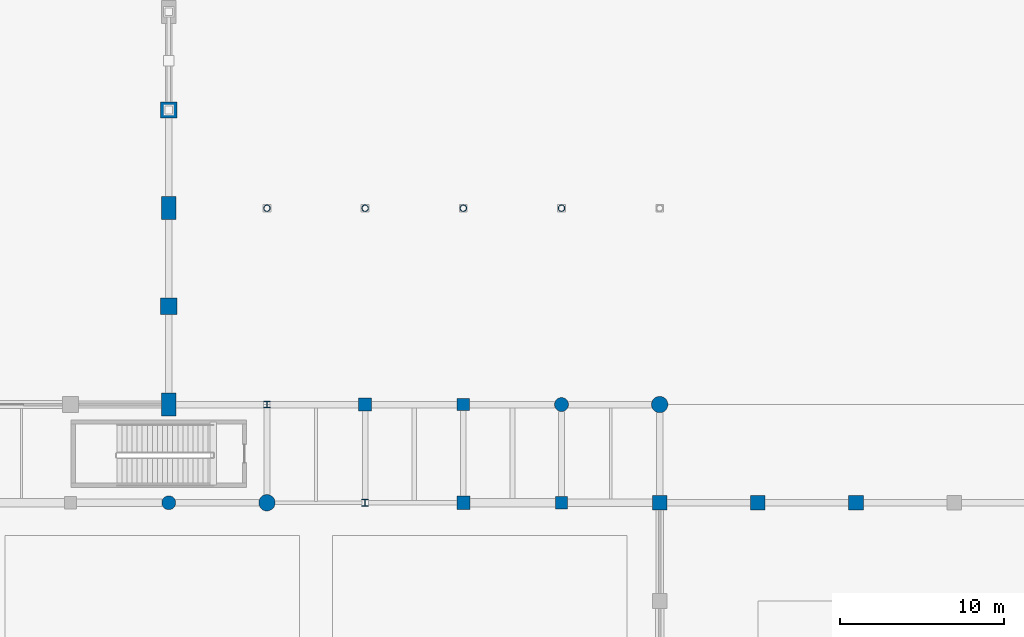
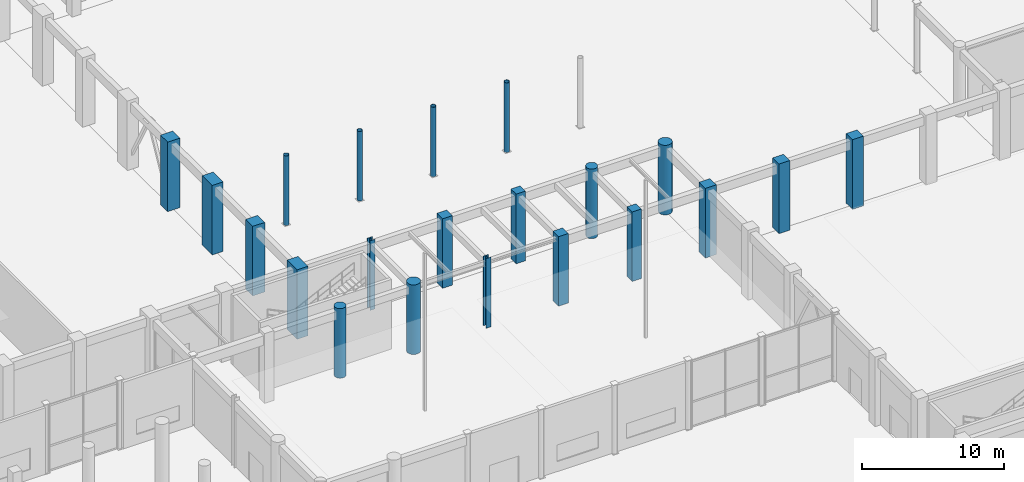
# One storey, part 6 of 106: 21 columns.
"""IFC4 building model written with IfcOpenShell, lengths in metres."""

from ifc_helpers import new_model, si_unit, direction, frame, origin, origin_2d, place, context, subcontext, project, spatial, rectangle, circle, hollow_circle, i_section, extrude, material, material_profile, profile_set, type_object, element, save


model = new_model("IFC4")

# Units and contexts
model_context = context("Model", 3, precision=1e-05, world=origin(), true_north=direction((0.0, 1.0)))
body_context = subcontext(model_context, "Body", "Model", "MODEL_VIEW")
ifc_project = project(units=[si_unit("LENGTHUNIT", "METRE"), si_unit("AREAUNIT", "SQUARE_METRE"), si_unit("VOLUMEUNIT", "CUBIC_METRE"), si_unit("PLANEANGLEUNIT", "RADIAN"), si_unit("MASSUNIT", "GRAM", prefix="KILO"), si_unit("THERMODYNAMICTEMPERATUREUNIT", "KELVIN"), si_unit("POWERUNIT", "WATT")], contexts=[model_context])

# Site, building, storey
site_placement = place(None, origin())
site = spatial("IfcSite", under=ifc_project, at=site_placement, CompositionType="ELEMENT")
building_placement = place(site_placement, origin())
building = spatial("IfcBuilding", under=site, at=building_placement, Name="Phaisarnlok Congress Hotel", CompositionType="ELEMENT")
storey_placement = place(building_placement, origin())
storey = spatial("IfcBuildingStorey", under=building, at=storey_placement, Name="L00", CompositionType="ELEMENT", Elevation=0.0)

# Columns
ifc_material_1 = material(Name="Concrete C50/60", Category="concrete")
ifc_material_profile_1 = material_profile(ifc_material_1, rectangle(XDim=1.0, YDim=1.0, at=origin_2d()), Name="RC 1000x1000")
ifc_profile_set_1 = profile_set([ifc_material_profile_1], Name="Concrete C50/60")
column_type_1 = type_object("IfcColumnType", Name="COL-RC-1000", PredefinedType="COLUMN", material=ifc_profile_set_1)
for number, where, z_axis, x_axis, name in (
    (1, (66.0, 48.0, 0.0), (0.0, 0.0, 1.0), (1.0, 0.0, 0.0), "Column C-09 (L00)"),
    (2, (66.0, 60.0, 0.0), (0.0, 0.0, 1.0), (1.0, 0.0, 0.0), "Column C-09 (L00)"),
):
    element("IfcColumn", number, at=place(storey_placement, frame(where, z_axis=z_axis, x_axis=x_axis)), inside=storey, type_object=column_type_1, Name=name, PredefinedType="COLUMN", context=body_context, shape_type="SweptSolid", body=[
        extrude(rectangle(XDim=1.0, YDim=1.0, at=origin_2d()), origin(), (0.0, 0.0, 1.0), 6.0),
    ])
ifc_material_profile_2 = material_profile(ifc_material_1, rectangle(XDim=0.75, YDim=0.75, at=origin_2d()), Name="RC 750x750")
ifc_profile_set_2 = profile_set([ifc_material_profile_2], Name="Concrete C50/60")
column_type_2 = type_object("IfcColumnType", Name="COL-RC-750", PredefinedType="COLUMN", material=ifc_profile_set_2)
for number, where, z_axis, x_axis, name in (
    (3, (84.0, 42.0, 0.0), (0.0, 0.0, 1.0), (1.0, 0.0, 0.0), "Column C-06 (L00)"),
    (4, (90.0, 36.0, 0.0), (0.0, 0.0, 1.0), (1.0, 0.0, 0.0), "Column C-06 (L00)"),
):
    element("IfcColumn", number, at=place(storey_placement, frame(where, z_axis=z_axis, x_axis=x_axis)), inside=storey, type_object=column_type_2, Name=name, PredefinedType="COLUMN", context=body_context, shape_type="SweptSolid", body=[
        extrude(rectangle(XDim=0.75, YDim=0.75, at=origin_2d()), origin(), (0.0, 0.0, 1.0), 6.0),
    ])
ifc_material_profile_3 = material_profile(ifc_material_1, rectangle(XDim=0.800048828125, YDim=0.800048828125, at=origin_2d()), Name="RC 800x800")
ifc_profile_set_3 = profile_set([ifc_material_profile_3], Name="Concrete C50/60")
column_type_3 = type_object("IfcColumnType", Name="COL-RC-800", PredefinedType="COLUMN", material=ifc_profile_set_3)
for number, where, z_axis, x_axis, name in (
    (5, (78.0, 42.0, 0.0), (0.0, 0.0, 1.0), (1.0, 0.0, 0.0), "Column C-07 (L00)"),
    (6, (84.0, 36.0, 0.0), (0.0, 0.0, 1.0), (1.0, 0.0, 0.0), "Column C-07 (L00)"),
):
    element("IfcColumn", number, at=place(storey_placement, frame(where, z_axis=z_axis, x_axis=x_axis)), inside=storey, type_object=column_type_3, Name=name, PredefinedType="COLUMN", context=body_context, shape_type="SweptSolid", body=[
        extrude(rectangle(XDim=0.800048828125, YDim=0.800048828125, at=origin_2d()), origin(), (0.0, 0.0, 1.0), 6.0),
    ])
ifc_material_profile_4 = material_profile(ifc_material_1, rectangle(XDim=0.89990234375, YDim=0.89990234375, at=origin_2d()), Name="RC 900x900")
ifc_profile_set_4 = profile_set([ifc_material_profile_4], Name="Concrete C50/60")
column_type_4 = type_object("IfcColumnType", Name="COL-RC-900", PredefinedType="COLUMN", material=ifc_profile_set_4)
for number, where, z_axis, x_axis, name in (
    (7, (96.0, 36.0, 0.0), (0.0, 0.0, 1.0), (1.0, 0.0, 0.0), "Column C-08 (L00)"),
    (8, (102.0, 36.0, 0.0), (0.0, 0.0, 1.0), (1.0, 0.0, 0.0), "Column C-08 (L00)"),
    (9, (108.0, 36.0, 0.0), (0.0, 0.0, 1.0), (1.0, 0.0, 0.0), "Column C-08 (L00)"),
):
    element("IfcColumn", number, at=place(storey_placement, frame(where, z_axis=z_axis, x_axis=x_axis)), inside=storey, type_object=column_type_4, Name=name, PredefinedType="COLUMN", context=body_context, shape_type="SweptSolid", body=[
        extrude(rectangle(XDim=0.89990234375, YDim=0.89990234375, at=origin_2d()), origin(), (0.0, 0.0, 1.0), 6.0),
    ])
ifc_material_profile_5 = material_profile(ifc_material_1, rectangle(XDim=0.89990234375, YDim=1.39990234375, at=origin_2d()), Name="RC 900x1400")
ifc_profile_set_5 = profile_set([ifc_material_profile_5], Name="Concrete C50/60")
column_type_5 = type_object("IfcColumnType", Name="COL-RC-900x1400", PredefinedType="COLUMN", material=ifc_profile_set_5)
for number, where, z_axis, x_axis, name in (
    (10, (66.0, 42.0, 0.0), (0.0, 0.0, 1.0), (1.0, 0.0, 0.0), "Column C-12 (L00)"),
    (11, (66.0, 54.0, 0.0), (0.0, 0.0, 1.0), (1.0, 0.0, 0.0), "Column C-12 (L00)"),
):
    element("IfcColumn", number, at=place(storey_placement, frame(where, z_axis=z_axis, x_axis=x_axis)), inside=storey, type_object=column_type_5, Name=name, PredefinedType="COLUMN", context=body_context, shape_type="SweptSolid", body=[
        extrude(rectangle(XDim=0.89990234375, YDim=1.39990234375, at=origin_2d()), origin(), (0.0, 0.0, 1.0), 6.0),
    ])
ifc_material_profile_6 = material_profile(ifc_material_1, circle(Radius=0.5, at=origin_2d()), Name="RCC D1000")
ifc_profile_set_6 = profile_set([ifc_material_profile_6], Name="Concrete C50/60")
column_type_6 = type_object("IfcColumnType", Name="COL-RCC-1000", PredefinedType="COLUMN", material=ifc_profile_set_6)
for number, where, z_axis, x_axis, name in (
    (12, (72.0, 36.0, 0.0), (0.0, 0.0, 1.0), (1.0, 0.0, 0.0), "Column C-15 (L00)"),
    (13, (96.0, 42.0, 0.0), (0.0, 0.0, 1.0), (1.0, 0.0, 0.0), "Column C-15 (L00)"),
):
    element("IfcColumn", number, at=place(storey_placement, frame(where, z_axis=z_axis, x_axis=x_axis)), inside=storey, type_object=column_type_6, Name=name, PredefinedType="COLUMN", context=body_context, shape_type="SweptSolid", body=[
        extrude(circle(Radius=0.5, at=origin_2d()), origin(), (0.0, 0.0, 1.0), 6.0),
    ])
ifc_material_profile_7 = material_profile(ifc_material_1, circle(Radius=0.425048828125, at=origin_2d()), Name="RCC D850")
ifc_profile_set_7 = profile_set([ifc_material_profile_7], Name="Concrete C50/60")
column_type_7 = type_object("IfcColumnType", Name="COL-RCC-850", PredefinedType="COLUMN", material=ifc_profile_set_7)
for number, where, z_axis, x_axis, name in (
    (14, (66.0, 36.0, 0.0), (0.0, 0.0, 1.0), (1.0, 0.0, 0.0), "Column C-14 (L00)"),
    (15, (90.0, 42.0, 0.0), (0.0, 0.0, 1.0), (1.0, 0.0, 0.0), "Column C-14 (L00)"),
):
    element("IfcColumn", number, at=place(storey_placement, frame(where, z_axis=z_axis, x_axis=x_axis)), inside=storey, type_object=column_type_7, Name=name, PredefinedType="COLUMN", context=body_context, shape_type="SweptSolid", body=[
        extrude(circle(Radius=0.425048828125, at=origin_2d()), origin(), (0.0, 0.0, 1.0), 6.0),
    ])
ifc_material_2 = material(Name="Steel S355", Category="steel")
ifc_material_profile_8 = material_profile(ifc_material_2, hollow_circle(Radius=0.203125, WallThickness=0.02001953125, at=origin_2d()), Name="CHS 406.4x20")
ifc_profile_set_8 = profile_set([ifc_material_profile_8], Name="Steel S355")
column_type_8 = type_object("IfcColumnType", Name="COL-STL-CHS406-EXT", PredefinedType="COLUMN", material=ifc_profile_set_8)
for number, where, z_axis, x_axis, name in (
    (16, (72.0, 54.0, 0.0), (0.0, 0.0, 1.0), (1.0, 0.0, 0.0), "Cloister colonnade wing-truss anchor column SC-02E (L00)"),
    (17, (78.0, 54.0, 0.0), (0.0, 0.0, 1.0), (1.0, 0.0, 0.0), "Cloister colonnade wing-truss anchor column SC-02E (L00)"),
    (18, (84.0, 54.0, 0.0), (0.0, 0.0, 1.0), (1.0, 0.0, 0.0), "Cloister colonnade wing-truss anchor column SC-02E (L00)"),
    (19, (90.0, 54.0, 0.0), (0.0, 0.0, 1.0), (1.0, 0.0, 0.0), "Cloister colonnade wing-truss anchor column SC-02E (L00)"),
):
    element("IfcColumn", number, at=place(storey_placement, frame(where, z_axis=z_axis, x_axis=x_axis)), inside=storey, type_object=column_type_8, Name=name, PredefinedType="COLUMN", context=body_context, shape_type="SweptSolid", body=[
        extrude(hollow_circle(Radius=0.203125, WallThickness=0.02001953125, at=origin_2d()), origin(), (0.0, 0.0, 1.0), 6.0),
    ])
ifc_material_profile_9 = material_profile(ifc_material_2, i_section(OverallWidth=0.40087890625, OverallDepth=0.39892578125, WebThickness=0.0185546875, FlangeThickness=0.030029296875, FilletRadius=0.014892578125, at=origin_2d()), Name="HD 400x314")
ifc_profile_set_9 = profile_set([ifc_material_profile_9], Name="Steel S355")
column_type_9 = type_object("IfcColumnType", Name="COL-STL-HD314", PredefinedType="COLUMN", material=ifc_profile_set_9)
for number, where, z_axis, x_axis, name in (
    (20, (72.0, 42.0, 0.0), (0.0, 0.0, 1.0), (1.0, 0.0, 0.0), "Column SC-04 (L00)"),
    (21, (78.0, 36.0, 0.0), (0.0, 0.0, 1.0), (1.0, 0.0, 0.0), "Column SC-04 (L00)"),
):
    element("IfcColumn", number, at=place(storey_placement, frame(where, z_axis=z_axis, x_axis=x_axis)), inside=storey, type_object=column_type_9, Name=name, PredefinedType="COLUMN", context=body_context, shape_type="SweptSolid", body=[
        extrude(i_section(OverallWidth=0.40087890625, OverallDepth=0.39892578125, WebThickness=0.0185546875, FlangeThickness=0.030029296875, FilletRadius=0.014892578125, at=origin_2d()), origin(), (0.0, 0.0, 1.0), 6.0),
    ])

save(model, "model.ifc")
